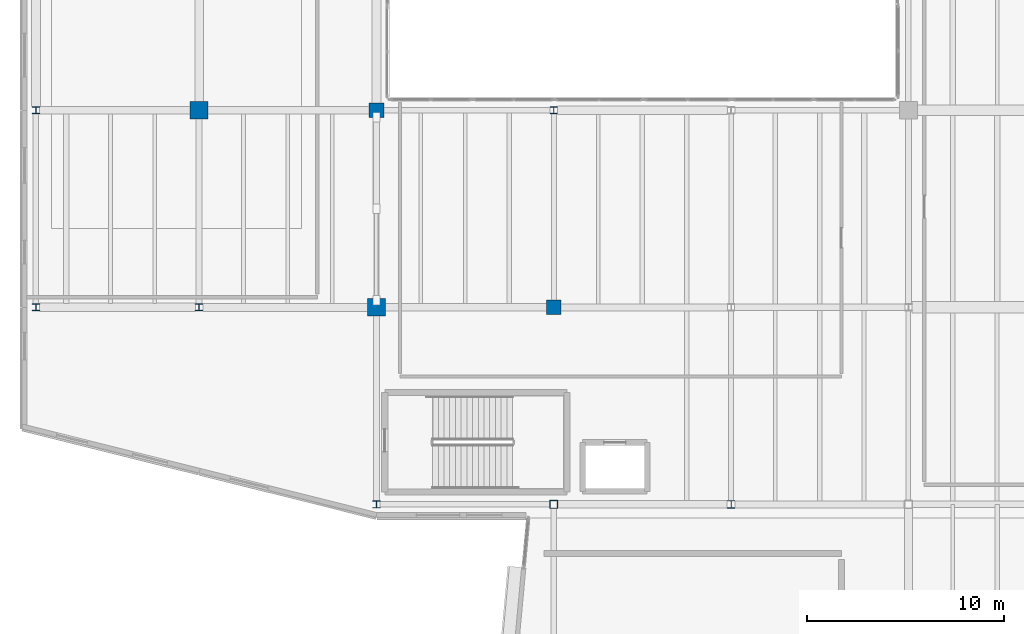
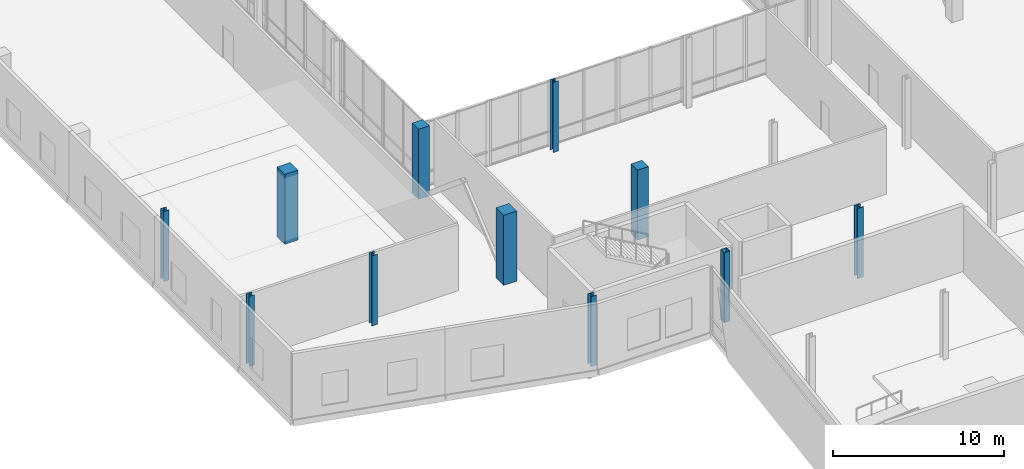
# One storey, part 2 of 73: 11 columns.
"""IFC4 building model written with IfcOpenShell, lengths in metres."""

from ifc_helpers import new_model, si_unit, direction, frame, origin, origin_2d, place, context, subcontext, project, spatial, rectangle, hollow_rectangle, i_section, extrude, material, material_profile, profile_set, type_object, element, save


model = new_model("IFC4")

# Units and contexts
model_context = context("Model", 3, precision=1e-05, world=origin(), true_north=direction((0.0, 1.0)))
body_context = subcontext(model_context, "Body", "Model", "MODEL_VIEW")
ifc_project = project(units=[si_unit("LENGTHUNIT", "METRE"), si_unit("AREAUNIT", "SQUARE_METRE"), si_unit("VOLUMEUNIT", "CUBIC_METRE"), si_unit("PLANEANGLEUNIT", "RADIAN"), si_unit("MASSUNIT", "GRAM", prefix="KILO")], contexts=[model_context])

# Site, building, storey
site_placement = place(None, origin())
site = spatial("IfcSite", under=ifc_project, at=site_placement, CompositionType="ELEMENT")
building_placement = place(site_placement, origin())
building = spatial("IfcBuilding", under=site, at=building_placement, Name="Trimount Lyric Opera House", CompositionType="ELEMENT")
storey_placement = place(building_placement, frame((0.0, 0.0, 10.0)))
storey = spatial("IfcBuildingStorey", under=building, at=storey_placement, Name="L02", CompositionType="ELEMENT", Elevation=10.0)

# Columns
ifc_material_1 = material(Name="Steel ASTM A992 Grade 50", Category="steel")
ifc_material_profile_1 = material_profile(ifc_material_1, i_section(OverallWidth=0.406005859375, OverallDepth=0.4169921875, WebThickness=0.02978515625, FlangeThickness=0.048095703125, FilletRadius=0.01806640625, at=origin_2d()), Name="W14X257")
ifc_profile_set_1 = profile_set([ifc_material_profile_1], Name="Steel ASTM A992 Grade 50")
column_type_1 = type_object("IfcColumnType", Name="C-02", PredefinedType="COLUMN", material=ifc_profile_set_1)
column_1_placement = place(storey_placement, frame((36.0, 54.0, 0.0), z_axis=(0.0, 0.0, 1.0), x_axis=(1.0, 0.0, 0.0)))
element("IfcColumn", 1, at=column_1_placement, inside=storey, type_object=column_type_1, Name="L02 column 5/G", PredefinedType="COLUMN", context=body_context, shape_type="SweptSolid", body=[
    extrude(i_section(OverallWidth=0.406005859375, OverallDepth=0.4169921875, WebThickness=0.02978515625, FlangeThickness=0.048095703125, FilletRadius=0.01806640625, at=origin_2d()), origin(), (0.0, 0.0, 1.0), 5.0),
])
ifc_material_2 = material(Name="Steel ASTM A992 Grade 50", Category="steel")
ifc_material_profile_2 = material_profile(ifc_material_2, i_section(OverallWidth=0.373046875, OverallDepth=0.367919921875, WebThickness=0.014892578125, FlangeThickness=0.02392578125, FilletRadius=0.014892578125, at=origin_2d()), Name="W14X120")
ifc_profile_set_2 = profile_set([ifc_material_profile_2], Name="Steel ASTM A992 Grade 50")
column_type_2 = type_object("IfcColumnType", Name="C-04", PredefinedType="COLUMN", material=ifc_profile_set_2)
for number, where, z_axis, x_axis, name in (
    (2, (0.719970703125, 74.0, 0.0), (0.0, 0.0, 1.0), (1.0, 0.0, 0.0), "L02 column 1/J"),
    (3, (9.0, 64.0, 0.0), (0.0, 0.0, 1.0), (1.0, 0.0, 0.0), "L02 column 2/H"),
    (4, (18.0, 54.0, 0.0), (0.0, 0.0, 1.0), (1.0, 0.0, 0.0), "L02 column 3/G"),
):
    element("IfcColumn", number, at=place(storey_placement, frame(where, z_axis=z_axis, x_axis=x_axis)), inside=storey, type_object=column_type_2, Name=name, PredefinedType="COLUMN", context=body_context, shape_type="SweptSolid", body=[
        extrude(i_section(OverallWidth=0.373046875, OverallDepth=0.367919921875, WebThickness=0.014892578125, FlangeThickness=0.02392578125, FilletRadius=0.014892578125, at=origin_2d()), origin(), (0.0, 0.0, 1.0), 5.0),
    ])
ifc_material_3 = material(Name="Steel ASTM A500 Grade C", Category="steel")
ifc_material_profile_3 = material_profile(ifc_material_3, hollow_rectangle(XDim=0.406494140625, YDim=0.406494140625, WallThickness=0.014892578125, InnerFilletRadius=0.01513671875, OuterFilletRadius=0.030029296875, at=origin_2d()), Name="HSS406.4X406.4X15.9")
ifc_profile_set_3 = profile_set([ifc_material_profile_3], Name="Steel ASTM A500 Grade C")
column_type_3 = type_object("IfcColumnType", Name="C-07", PredefinedType="COLUMN", material=ifc_profile_set_3)
column_2_placement = place(storey_placement, frame((27.0, 54.0, 0.0), z_axis=(0.0, 0.0, 1.0), x_axis=(1.0, 0.0, 0.0)))
element("IfcColumn", 5, at=column_2_placement, inside=storey, type_object=column_type_3, Name="L02 column 4/G", PredefinedType="COLUMN", context=body_context, shape_type="SweptSolid", body=[
    extrude(hollow_rectangle(XDim=0.406494140625, YDim=0.406494140625, WallThickness=0.014892578125, InnerFilletRadius=0.01513671875, OuterFilletRadius=0.030029296875, at=origin_2d()), origin(), (0.0, 0.0, 1.0), 5.0),
])
ifc_material_4 = material(Name="Steel ASTM A992 Grade 50", Category="steel")
ifc_material_profile_4 = material_profile(ifc_material_4, i_section(OverallWidth=0.367919921875, OverallDepth=0.35595703125, WebThickness=0.01123046875, FlangeThickness=0.01806640625, FilletRadius=0.014892578125, at=origin_2d()), Name="W14X90")
ifc_profile_set_4 = profile_set([ifc_material_profile_4], Name="Steel ASTM A992 Grade 50")
column_type_4 = type_object("IfcColumnType", Name="C-09", PredefinedType="COLUMN", material=ifc_profile_set_4)
for number, where, z_axis, x_axis, name in (
    (6, (0.719970703125, 64.0, 0.0), (0.0, 0.0, 1.0), (1.0, 0.0, 0.0), "L02 column 1/H"),
    (7, (27.0, 74.0, 0.0), (0.0, 0.0, 1.0), (1.0, 0.0, 0.0), "L02 column 4/J"),
):
    element("IfcColumn", number, at=place(storey_placement, frame(where, z_axis=z_axis, x_axis=x_axis)), inside=storey, type_object=column_type_4, Name=name, PredefinedType="COLUMN", context=body_context, shape_type="SweptSolid", body=[
        extrude(i_section(OverallWidth=0.367919921875, OverallDepth=0.35595703125, WebThickness=0.01123046875, FlangeThickness=0.01806640625, FilletRadius=0.014892578125, at=origin_2d()), origin(), (0.0, 0.0, 1.0), 5.0),
    ])
ifc_material_5 = material(Name="Concrete C50/60", Category="concrete")
ifc_material_profile_5 = material_profile(ifc_material_5, rectangle(XDim=0.89990234375, YDim=0.89990234375, at=origin_2d()), Name="RC900X900")
ifc_profile_set_5 = profile_set([ifc_material_profile_5], Name="Concrete C50/60")
column_type_5 = type_object("IfcColumnType", Name="C-13", PredefinedType="COLUMN", material=ifc_profile_set_5)
for number, where, z_axis, x_axis, name in (
    (8, (9.0, 74.0, 0.0), (0.0, 0.0, 1.0), (1.0, 0.0, 0.0), "L02 column 2/J"),
    (9, (18.0, 64.0, 0.0), (0.0, 0.0, 1.0), (1.0, 0.0, 0.0), "L02 column 3/H"),
):
    element("IfcColumn", number, at=place(storey_placement, frame(where, z_axis=z_axis, x_axis=x_axis)), inside=storey, type_object=column_type_5, Name=name, PredefinedType="COLUMN", context=body_context, shape_type="SweptSolid", body=[
        extrude(rectangle(XDim=0.89990234375, YDim=0.89990234375, at=origin_2d()), origin(), (0.0, 0.0, 1.0), 5.0),
    ])
ifc_material_6 = material(Name="Concrete C40/50", Category="concrete")
ifc_material_profile_6 = material_profile(ifc_material_6, rectangle(XDim=0.75, YDim=0.75, at=origin_2d()), Name="RC750X750")
ifc_profile_set_6 = profile_set([ifc_material_profile_6], Name="Concrete C40/50")
column_type_6 = type_object("IfcColumnType", Name="C-15", PredefinedType="COLUMN", material=ifc_profile_set_6)
for number, where, z_axis, x_axis, name in (
    (10, (18.0, 74.0, 0.0), (0.0, 0.0, 1.0), (1.0, 0.0, 0.0), "L02 column 3/J"),
    (11, (27.0, 64.0, 0.0), (0.0, 0.0, 1.0), (1.0, 0.0, 0.0), "L02 column 4/H"),
):
    element("IfcColumn", number, at=place(storey_placement, frame(where, z_axis=z_axis, x_axis=x_axis)), inside=storey, type_object=column_type_6, Name=name, PredefinedType="COLUMN", context=body_context, shape_type="SweptSolid", body=[
        extrude(rectangle(XDim=0.75, YDim=0.75, at=origin_2d()), origin(), (0.0, 0.0, 1.0), 5.0),
    ])

save(model, "model.ifc")
